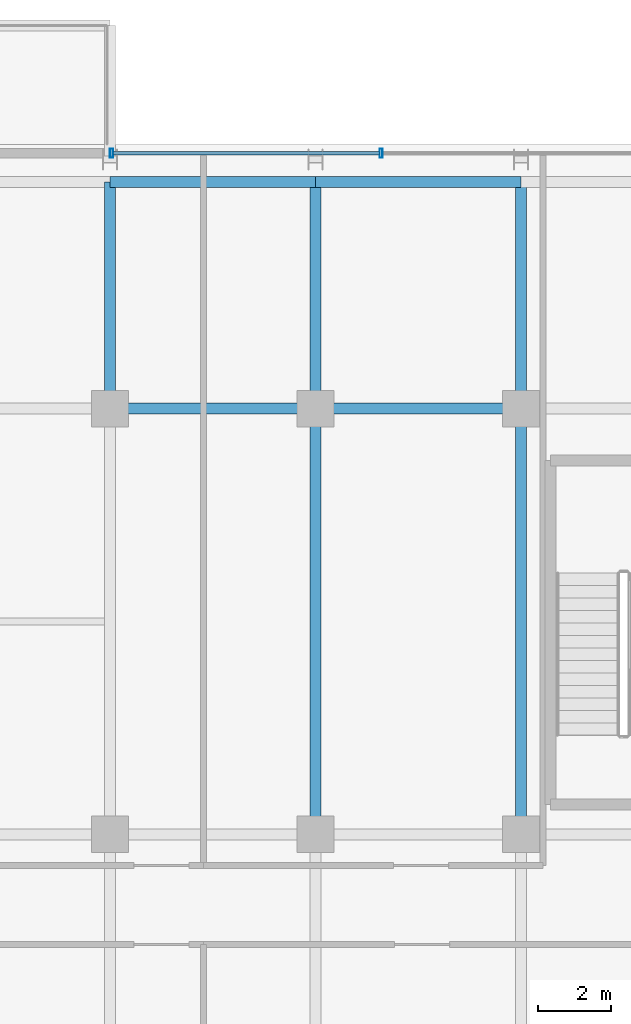
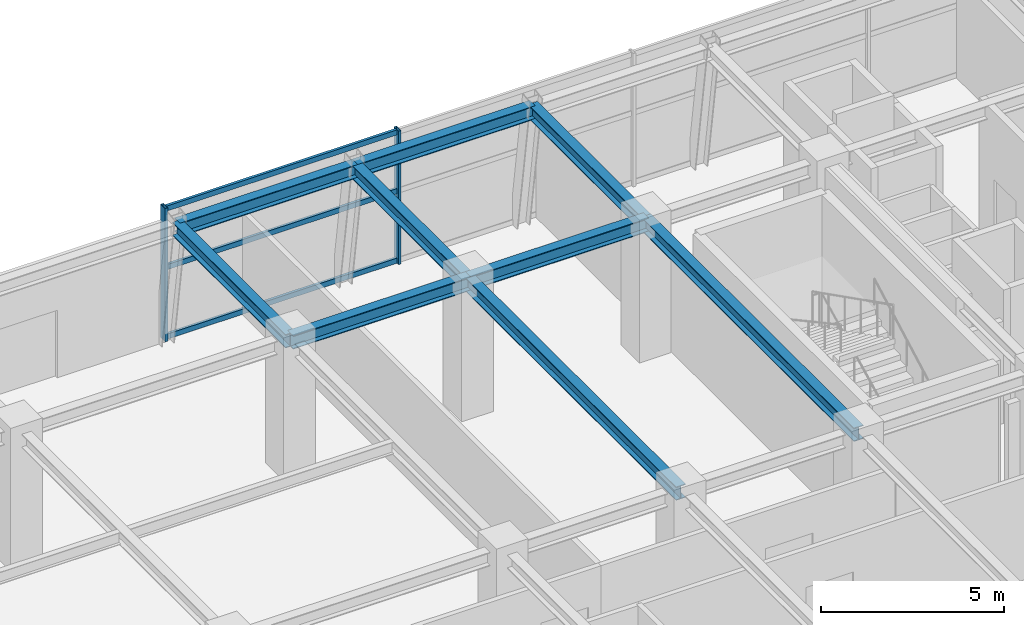
# One storey, part 16 of 28: 9 beams, 5 members, 1 element without a shape of its own.
"""IFC4 building model written with IfcOpenShell, lengths in metres."""

from ifc_helpers import new_model, si_unit, direction, frame, origin, origin_2d, place, context, subcontext, project, spatial, hollow_rectangle, i_section, extrude, source, transform, mapped, material, material_profile, profile_set, type_object, element, aggregate, save


model = new_model("IFC4")

# Units and contexts
model_context = context("Model", 3, precision=1e-05, world=origin(), true_north=direction((0.0, 1.0)))
body_context = subcontext(model_context, "Body", "Model", "MODEL_VIEW")
ifc_project = project(units=[si_unit("LENGTHUNIT", "METRE"), si_unit("AREAUNIT", "SQUARE_METRE"), si_unit("VOLUMEUNIT", "CUBIC_METRE"), si_unit("PLANEANGLEUNIT", "RADIAN"), si_unit("MASSUNIT", "GRAM", prefix="KILO")], contexts=[model_context])

# Site, building, storey
site_placement = place(None, origin())
site = spatial("IfcSite", under=ifc_project, at=site_placement, CompositionType="ELEMENT")
building_placement = place(site_placement, origin())
building = spatial("IfcBuilding", under=site, at=building_placement, Name="Nahalor Promenade Grand Hotel", CompositionType="ELEMENT")
storey_placement = place(building_placement, frame((0.0, 0.0, 256.699951171875)))
storey = spatial("IfcBuildingStorey", under=building, at=storey_placement, Name="L66", CompositionType="ELEMENT", Elevation=256.699951171875)

# Beams
ifc_material_1 = material(Name="Steel S355JR", Category="steel")
ifc_material_profile_1 = material_profile(ifc_material_1, i_section(OverallWidth=0.3, OverallDepth=0.45, WebThickness=0.014, FlangeThickness=0.026, at=origin_2d()), Name="HEB 450")
ifc_profile_set_1 = profile_set([ifc_material_profile_1], Name="Steel S355JR")
beam_type_1 = type_object("IfcBeamType", Name="Beam-Spandrel-HEB450", PredefinedType="SPANDREL", material=ifc_profile_set_1)
shared_shape_1 = source(origin(), body_context, "Body", "SweptSolid", [
    extrude(i_section(OverallWidth=0.3, OverallDepth=0.45, WebThickness=0.014, FlangeThickness=0.026, at=origin_2d()), origin(), (0.0, 0.0, 1.0), 5.599853515625),
])
beam_1_placement = place(storey_placement, frame((-8.39990234375, 23.179931640625, 4.215087890625), z_axis=(1.0, 0.0, 0.0), x_axis=(0.0, 1.0, 0.0)))
element("IfcBeam", 1, at=beam_1_placement, inside=storey, type_object=beam_type_1, Name="BM-L66-SP-N-1", PredefinedType="SPANDREL", context=body_context, shape_type="MappedRepresentation", body=[
    mapped(shared_shape_1, transform((0.0, 0.0, 0.0), scale=1.0)),
])
shared_shape_2 = source(origin(), body_context, "Body", "SweptSolid", [
    extrude(i_section(OverallWidth=0.3, OverallDepth=0.45, WebThickness=0.014, FlangeThickness=0.026, at=origin_2d()), origin(), (0.0, 0.0, 1.0), 5.60009765625),
])
beam_2_placement = place(storey_placement, frame((-2.800048828125, 23.179931640625, 4.215087890625), z_axis=(1.0, 0.0, 0.0), x_axis=(0.0, 1.0, 0.0)))
element("IfcBeam", 2, at=beam_2_placement, inside=storey, type_object=beam_type_1, Name="BM-L66-SP-N-2", PredefinedType="SPANDREL", context=body_context, shape_type="MappedRepresentation", body=[
    mapped(shared_shape_2, transform((0.0, 0.0, 0.0), scale=1.0)),
])
ifc_material_profile_2 = material_profile(ifc_material_1, i_section(OverallWidth=0.3, OverallDepth=0.45, WebThickness=0.014, FlangeThickness=0.026, at=origin_2d()), Name="HEB 450")
ifc_profile_set_2 = profile_set([ifc_material_profile_2], Name="Steel S355JR")
beam_type_2 = type_object("IfcBeamType", Name="Beam-Girder-HEB450", PredefinedType="BEAM", material=ifc_profile_set_2)
shared_shape_3 = source(origin(), body_context, "Body", "SweptSolid", [
    extrude(i_section(OverallWidth=0.3, OverallDepth=0.45, WebThickness=0.014, FlangeThickness=0.026, at=origin_2d()), origin(), (0.0, 0.0, 1.0), 5.599853515625),
])
beam_3_placement = place(storey_placement, frame((-8.39990234375, 17.0, 4.215087890625), z_axis=(1.0, 0.0, 0.0), x_axis=(0.0, 1.0, 0.0)))
element("IfcBeam", 3, at=beam_3_placement, inside=storey, type_object=beam_type_2, Name="BM-L66-GX-3-2", PredefinedType="BEAM", context=body_context, shape_type="MappedRepresentation", body=[
    mapped(shared_shape_3, transform((0.0, 0.0, 0.0), scale=1.0)),
])
shared_shape_4 = source(origin(), body_context, "Body", "SweptSolid", [
    extrude(i_section(OverallWidth=0.3, OverallDepth=0.45, WebThickness=0.014, FlangeThickness=0.026, at=origin_2d()), origin(), (0.0, 0.0, 1.0), 5.60009765625),
])
beam_4_placement = place(storey_placement, frame((-2.800048828125, 17.0, 4.215087890625), z_axis=(1.0, 0.0, 0.0), x_axis=(0.0, 1.0, 0.0)))
element("IfcBeam", 4, at=beam_4_placement, inside=storey, type_object=beam_type_2, Name="BM-L66-GX-3-3", PredefinedType="BEAM", context=body_context, shape_type="MappedRepresentation", body=[
    mapped(shared_shape_4, transform((0.0, 0.0, 0.0), scale=1.0)),
])
shared_shape_5 = source(origin(), body_context, "Body", "SweptSolid", [
    extrude(i_section(OverallWidth=0.3, OverallDepth=0.45, WebThickness=0.014, FlangeThickness=0.026, at=origin_2d()), origin(), (0.0, 0.0, 1.0), 11.60009765625),
])
for number, where, z_axis, x_axis, name in (
    (5, (-2.800048828125, 5.39990234375, 4.215087890625), (0.0, 1.0, 0.0), (-1.0, 0.0, 0.0), "BM-L66-GY-2-3"),
    (6, (2.800048828125, 5.39990234375, 4.215087890625), (0.0, 1.0, 0.0), (-1.0, 0.0, 0.0), "BM-L66-GY-3-3"),
):
    element("IfcBeam", number, at=place(storey_placement, frame(where, z_axis=z_axis, x_axis=x_axis)), inside=storey, type_object=beam_type_2, Name=name, PredefinedType="BEAM", context=body_context, shape_type="MappedRepresentation", body=[
        mapped(shared_shape_5, transform((0.0, 0.0, 0.0), scale=1.0)),
    ])
shared_shape_6 = source(origin(), body_context, "Body", "SweptSolid", [
    extrude(i_section(OverallWidth=0.3, OverallDepth=0.45, WebThickness=0.014, FlangeThickness=0.026, at=origin_2d()), origin(), (0.0, 0.0, 1.0), 6.179931640625),
])
for number, where, z_axis, x_axis, name in (
    (7, (-8.39990234375, 17.0, 4.215087890625), (0.0, 1.0, 0.0), (-1.0, 0.0, 0.0), "BM-L66-GY-1-4"),
    (8, (-2.800048828125, 17.0, 4.215087890625), (0.0, 1.0, 0.0), (-1.0, 0.0, 0.0), "BM-L66-GY-2-4"),
    (9, (2.800048828125, 17.0, 4.215087890625), (0.0, 1.0, 0.0), (-1.0, 0.0, 0.0), "BM-L66-GY-3-4"),
):
    element("IfcBeam", number, at=place(storey_placement, frame(where, z_axis=z_axis, x_axis=x_axis)), inside=storey, type_object=beam_type_2, Name=name, PredefinedType="BEAM", context=body_context, shape_type="MappedRepresentation", body=[
        mapped(shared_shape_6, transform((0.0, 0.0, 0.0), scale=1.0)),
    ])

# Curtain wall, members
ifc_material_2 = material(Name="Anodised Bronze Aluminium EN AW-6063 T6", Category="aluminium")
curtain_wall_type = type_object("IfcCurtainWallType", Name="CW5 Sky-Lobby & Observation Panoramic Curtain Wall", PredefinedType="USERDEFINED", material=ifc_material_2)
curtain_wall_placement = place(storey_placement, origin())
curtain_wall = element("IfcCurtainWall", 10, at=curtain_wall_placement, inside=storey, type_object=curtain_wall_type, Name="L66 Curtain Wall CW-L66-N-3", ObjectType="UNITISED_CURTAIN_WALL", PredefinedType="USERDEFINED")
ifc_material_profile_3 = material_profile(ifc_material_2, hollow_rectangle(XDim=0.085, YDim=0.25, WallThickness=0.006, at=origin_2d()), Name="CWM 85x250x6")
ifc_profile_set_3 = profile_set([ifc_material_profile_3], Name="Anodised Bronze Aluminium EN AW-6063 T6")
member_type_1 = type_object("IfcMemberType", Name="CWM5 Panoramic Deep Mullion 85x250", PredefinedType="MULLION", material=ifc_profile_set_3)
shared_shape_7 = source(origin(), body_context, "Body", "SweptSolid", [
    extrude(hollow_rectangle(XDim=0.085, YDim=0.25, WallThickness=0.006, at=origin_2d()), origin(), (0.0, 0.0, 1.0), 4.43994140625),
])
member_1_placement = place(storey_placement, frame((-8.357421875, 23.9599609375, 0.0), z_axis=(0.0, 0.0, 1.0), x_axis=(1.0, 0.0, 0.0)))
member_1 = element("IfcMember", 11, at=member_1_placement, type_object=member_type_1, Name="CW-L66-N-3 Mullion 0", PredefinedType="MULLION", context=body_context, shape_type="MappedRepresentation", body=[
    mapped(shared_shape_7, transform((0.0, 0.0, 0.0), scale=1.0)),
])
member_2_placement = place(storey_placement, frame((-1.010009765625, 23.9599609375, 0.0), z_axis=(0.0, 0.0, 1.0), x_axis=(1.0, 0.0, 0.0)))
member_2 = element("IfcMember", 12, at=member_2_placement, type_object=member_type_1, Name="CW-L66-N-3 Mullion 1", PredefinedType="MULLION", context=body_context, shape_type="MappedRepresentation", body=[
    mapped(shared_shape_7, transform((0.0, 0.0, 0.0), scale=1.0)),
])
ifc_material_profile_4 = material_profile(ifc_material_2, hollow_rectangle(XDim=0.085, YDim=0.17, WallThickness=0.005, at=origin_2d()), Name="CWT 85x170x5")
ifc_profile_set_4 = profile_set([ifc_material_profile_4], Name="Anodised Bronze Aluminium EN AW-6063 T6")
member_type_2 = type_object("IfcMemberType", Name="CWT5 Panoramic Transom 85x170", PredefinedType="USERDEFINED", material=ifc_profile_set_4)
shared_shape_8 = source(origin(), body_context, "Body", "SweptSolid", [
    extrude(hollow_rectangle(XDim=0.085, YDim=0.17, WallThickness=0.005, at=origin_2d()), origin(), (0.0, 0.0, 1.0), 7.262451171875),
])
member_3_placement = place(storey_placement, frame((-8.31494140625, 23.9599609375, 0.0849609375), z_axis=(1.0, 0.0, 0.0), x_axis=(0.0, 1.0, 0.0)))
member_3 = element("IfcMember", 13, at=member_3_placement, type_object=member_type_2, Name="CW-L66-N-3 Transom 0-0", ObjectType="TRANSOM", PredefinedType="USERDEFINED", context=body_context, shape_type="MappedRepresentation", body=[
    mapped(shared_shape_8, transform((0.0, 0.0, 0.0), scale=1.0)),
])
member_4_placement = place(storey_placement, frame((-8.31494140625, 23.9599609375, 2.400146484375), z_axis=(1.0, 0.0, 0.0), x_axis=(0.0, 1.0, 0.0)))
member_4 = element("IfcMember", 14, at=member_4_placement, type_object=member_type_2, Name="CW-L66-N-3 Transom 0-1", ObjectType="TRANSOM", PredefinedType="USERDEFINED", context=body_context, shape_type="MappedRepresentation", body=[
    mapped(shared_shape_8, transform((0.0, 0.0, 0.0), scale=1.0)),
])
member_5_placement = place(storey_placement, frame((-8.31494140625, 23.9599609375, 4.35498046875), z_axis=(1.0, 0.0, 0.0), x_axis=(0.0, 1.0, 0.0)))
member_5 = element("IfcMember", 15, at=member_5_placement, type_object=member_type_2, Name="CW-L66-N-3 Transom 0-2", ObjectType="TRANSOM", PredefinedType="USERDEFINED", context=body_context, shape_type="MappedRepresentation", body=[
    mapped(shared_shape_8, transform((0.0, 0.0, 0.0), scale=1.0)),
])
aggregate(curtain_wall, [member_1, member_2, member_3, member_4, member_5])

save(model, "model.ifc")
